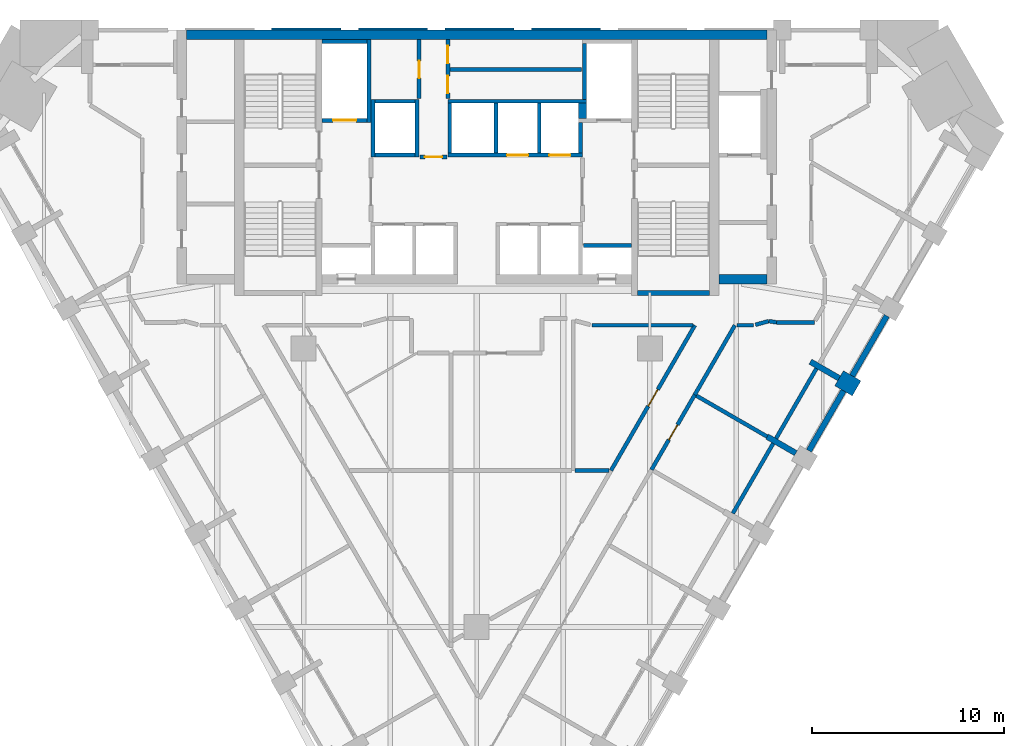
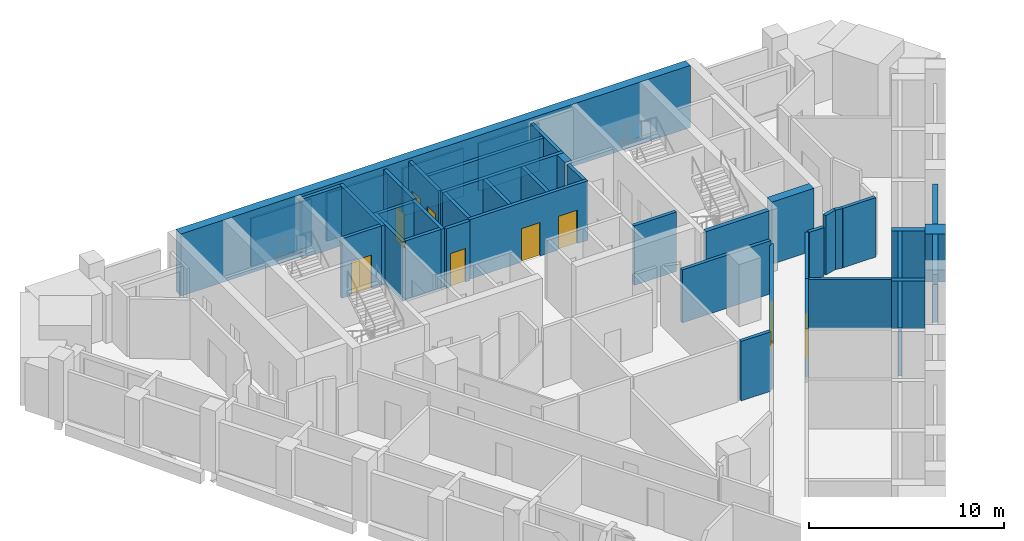
# One storey, part 6 of 9: 44 walls, 9 doors, 9 openings.
"""IFC4 building model written with IfcOpenShell, lengths in metres."""

import ifcopenshell
import ifcopenshell.guid

model = None  # the IFC model being written
_history = None  # IfcOwnerHistory: only IFC2X3 demands one
_inside = {}  # id of a spatial element -> (the spatial element, [elements in it])
_under = {}  # id of a project, library or spatial element -> (it, [spatial elements below it])
_declared = {}  # id of a project -> (the project, [libraries it declares])
_typed = {}  # id of a type object -> (the type object, [elements of that type])
_made_of = {}  # id of a material, layer set ... -> (it, [elements and type objects made of it])


def new_model(schema):
    """Start an empty IFC model of exactly this schema.

    Asked for "IFC4X3", IfcOpenShell would pick the latest addendum, in which some entities
    have other attributes; the version numbers below select the first issue.
    IFC2X3 requires an IfcOwnerHistory on every rooted entity: one is made here for all.
    """
    global model, _history
    if schema == "IFC4X3":
        model = ifcopenshell.file(schema_version=(4, 3, 0, 0))
    else:
        model = ifcopenshell.file(schema=schema)
    _inside.clear()
    _under.clear()
    _declared.clear()
    _typed.clear()
    _made_of.clear()
    _history = None
    if model.schema == "IFC2X3":
        org = make("IfcOrganization", Name="unknown")
        user = make(
            "IfcPersonAndOrganization",
            ThePerson=make("IfcPerson", FamilyName="unknown"),
            TheOrganization=org,
        )
        app = make(
            "IfcApplication",
            ApplicationDeveloper=org,
            Version="unknown",
            ApplicationFullName="unknown",
            ApplicationIdentifier="unknown",
        )
        _history = make(
            "IfcOwnerHistory",
            OwningUser=user,
            OwningApplication=app,
            ChangeAction="ADDED",
            CreationDate=0,
        )
    return model


def make(cls, **values):
    """One entity of the class cls with the attributes given. An attribute that is None is left unset."""
    return model.create_entity(
        cls, **{name: value for name, value in values.items() if value is not None}
    )


def rooted(cls, **values):
    """An entity with a GlobalId (a new one), such as an element, a storey or a relation."""
    return make(cls, GlobalId=ifcopenshell.guid.new(), OwnerHistory=_history, **values)


def si_unit(unit_type, name, prefix=None):
    """IfcSIUnit, for example si_unit("LENGTHUNIT", "METRE", prefix="MILLI")."""
    return make("IfcSIUnit", UnitType=unit_type, Prefix=prefix, Name=name)


def assignment(units):
    """IfcUnitAssignment: the units of a project."""
    return None if units is None else make("IfcUnitAssignment", Units=units)


def point(xyz):
    """IfcCartesianPoint."""
    return None if xyz is None else make("IfcCartesianPoint", Coordinates=xyz)


def direction(xyz):
    """IfcDirection."""
    return None if xyz is None else make("IfcDirection", DirectionRatios=xyz)


def frame(location, z_axis=None, x_axis=None):
    """IfcAxis2Placement3D, a coordinate frame: its origin and axes. An axis left out is left unset."""
    return make(
        "IfcAxis2Placement3D",
        Location=point(location),
        Axis=direction(z_axis),
        RefDirection=direction(x_axis),
    )


def frame_2d(location, x_axis=None):
    """IfcAxis2Placement2D, a coordinate frame in the plane: its origin and x axis."""
    return make(
        "IfcAxis2Placement2D", Location=point(location), RefDirection=direction(x_axis)
    )


def origin():
    """The frame at (0, 0, 0) with its axes left unset."""
    return frame((0.0, 0.0, 0.0))


def place(relative_to, where):
    """IfcLocalPlacement: puts the frame where relative to a parent placement (None: the world)."""
    return make(
        "IfcLocalPlacement", PlacementRelTo=relative_to, RelativePlacement=where
    )


def context(
    kind, dimensions, precision=None, world=None, true_north=None, identifier=None
):
    """IfcGeometricRepresentationContext, for example the 3D "Model" context."""
    return make(
        "IfcGeometricRepresentationContext",
        ContextIdentifier=identifier,
        ContextType=kind,
        CoordinateSpaceDimension=dimensions,
        Precision=precision,
        WorldCoordinateSystem=world,
        TrueNorth=true_north,
    )


def subcontext(parent, identifier, kind, view, scale=None):
    """IfcGeometricRepresentationSubContext, for example "Body" below "Model"."""
    return make(
        "IfcGeometricRepresentationSubContext",
        ContextIdentifier=identifier,
        ContextType=kind,
        ParentContext=parent,
        TargetScale=scale,
        TargetView=view,
    )


def project(units=None, contexts=None):
    """IfcProject with its units and contexts."""
    return rooted(
        "IfcProject",
        Name="project",
        RepresentationContexts=contexts,
        UnitsInContext=assignment(units),
    )


def spatial(cls, under=None, at=None, **own):
    """A site, building, storey or space (cls), placed at a placement, below another one or the project."""
    s = rooted(cls, ObjectPlacement=at, **own)
    if under is not None:
        _under.setdefault(under.id(), (under, []))[1].append(s)
    return s


def polyline(points):
    """IfcPolyline through the points."""
    return make("IfcPolyline", Points=[point(p) for p in points])


def profile(cls, at=None, kind="AREA", **sizes):
    """A parametric profile (cls). Its sizes go by their IFC names, for example OverallWidth=200.0."""
    return make(cls, ProfileType=kind, Position=at, **sizes)


def rectangle(**sizes):
    """IfcRectangleProfileDef."""
    return profile("IfcRectangleProfileDef", **sizes)


def outline(outer, holes=None, kind="AREA"):
    """IfcArbitraryClosedProfileDef: a profile drawn as a closed curve; with holes, ...WithVoids."""
    if holes is None:
        return make("IfcArbitraryClosedProfileDef", ProfileType=kind, OuterCurve=outer)
    return make(
        "IfcArbitraryProfileDefWithVoids",
        ProfileType=kind,
        OuterCurve=outer,
        InnerCurves=holes,
    )


def extrude(swept, where, along, depth):
    """IfcExtrudedAreaSolid: the profile swept, set in the frame where, extruded along a direction by depth."""
    return make(
        "IfcExtrudedAreaSolid",
        SweptArea=swept,
        Position=where,
        ExtrudedDirection=direction(along),
        Depth=depth,
    )


def shape(context_of_items, identifier, shape_type, items):
    """IfcShapeRepresentation: the items that make up one representation, for example the "Body"."""
    return make(
        "IfcShapeRepresentation",
        ContextOfItems=context_of_items,
        RepresentationIdentifier=identifier,
        RepresentationType=shape_type,
        Items=items,
    )


def material(Name=None, Category=None):
    """IfcMaterial."""
    return make("IfcMaterial", Name=Name, Category=Category)


def layer(
    of_material, thickness, ventilated=None, Name=None, Category=None, Priority=None
):
    """IfcMaterialLayer: one layer of a wall or slab, of a material (None: an air gap)."""
    return make(
        "IfcMaterialLayer",
        Material=of_material,
        LayerThickness=thickness,
        IsVentilated=ventilated,
        Name=Name,
        Category=Category,
        Priority=Priority,
    )


def layer_set(layers, Name=None):
    """IfcMaterialLayerSet."""
    return make("IfcMaterialLayerSet", MaterialLayers=layers, LayerSetName=Name)


def made_of(thing, what):
    """Note that an element or type object is made of a material, layer set ...; save() writes the relation."""
    if what is not None:
        _made_of.setdefault(what.id(), (what, []))[1].append(thing)
    return thing


def type_object(cls, material=None, **own):
    """A type object (cls), such as IfcWallType, which elements share."""
    return made_of(rooted(cls, **own), material)


def element(
    cls,
    number,
    at=None,
    inside=None,
    cuts=None,
    type_object=None,
    material=None,
    context=None,
    identifier="Body",
    shape_type=None,
    held_by="IfcProductDefinitionShape",
    body=None,
    shapes=None,
    **own,
):
    """One element of the class cls, such as IfcWall. Its Tag is "e" and its number.

    at: its placement. inside: the storey or other place that contains it. cuts: it is an
    opening in that element (IfcRelVoidsElement). A single representation is given by context,
    identifier, shape_type and body (its items); several are given by shapes. held_by: the class
    of the entity that holds the representations. save() writes the other relations.
    """
    e = rooted(cls, Tag="e%d" % number, ObjectPlacement=at, **own)
    if body is not None:
        shapes = [shape(context, identifier, shape_type, body)]
    if shapes is not None:
        e.Representation = make(held_by, Representations=shapes)
    if inside is not None:
        _inside.setdefault(inside.id(), (inside, []))[1].append(e)
    if cuts is not None:
        rooted(
            "IfcRelVoidsElement", RelatingBuildingElement=cuts, RelatedOpeningElement=e
        )
    if type_object is not None:
        _typed.setdefault(type_object.id(), (type_object, []))[1].append(e)
    return made_of(e, material)


def fill(opening, filler):
    """IfcRelFillsElement: the door or window that sits in an opening."""
    return rooted(
        "IfcRelFillsElement",
        RelatingOpeningElement=opening,
        RelatedBuildingElement=filler,
    )


def aggregate(whole, parts):
    """IfcRelAggregates: a whole, such as a stair, and the parts it consists of."""
    return rooted("IfcRelAggregates", RelatingObject=whole, RelatedObjects=parts)


def save(model, path):
    """Write the relations noted so far, then the file.

    IfcRelAggregates (storeys below a building ...), IfcRelContainedInSpatialStructure (elements
    in a storey), IfcRelDefinesByType, IfcRelAssociatesMaterial and IfcRelDeclares: one each for
    every whole, place, type object, material and project.
    """
    for whole, parts in _under.values():
        aggregate(whole, parts)
    for where, things in _inside.values():
        rooted(
            "IfcRelContainedInSpatialStructure",
            RelatedElements=things,
            RelatingStructure=where,
        )
    for kind, things in _typed.values():
        rooted("IfcRelDefinesByType", RelatedObjects=things, RelatingType=kind)
    for what, things in _made_of.values():
        rooted("IfcRelAssociatesMaterial", RelatedObjects=things, RelatingMaterial=what)
    for by, libraries in _declared.values():
        rooted("IfcRelDeclares", RelatingContext=by, RelatedDefinitions=libraries)
    model.write(path)


model = new_model("IFC4")

# Units and contexts
model_context = context("Model", 3, precision=1e-05, world=origin(), true_north=direction((0.0, 1.0)))
body_context = subcontext(model_context, "Body", "Model", "MODEL_VIEW")
ifc_project = project(units=[si_unit("LENGTHUNIT", "METRE"), si_unit("AREAUNIT", "SQUARE_METRE"), si_unit("VOLUMEUNIT", "CUBIC_METRE"), si_unit("PLANEANGLEUNIT", "RADIAN"), si_unit("MASSUNIT", "GRAM", prefix="KILO")], contexts=[model_context])

# Site, building, storey
site_placement = place(None, origin())
site = spatial("IfcSite", under=ifc_project, at=site_placement, CompositionType="ELEMENT")
building_placement = place(site_placement, origin())
building = spatial("IfcBuilding", under=site, at=building_placement, Name="Calabash Gate Tower", CompositionType="ELEMENT")
storey_placement = place(building_placement, frame((0.0, 0.0, 156.300048828125)))
storey = spatial("IfcBuildingStorey", under=building, at=storey_placement, Name="L36", CompositionType="ELEMENT", Elevation=156.300048828125)

# Walls
ifc_material_1 = material(Name="Terracotta brick masonry, exposed face", Category="masonry")
ifc_layer_1 = layer(ifc_material_1, 1.050048828125)
ifc_layer_set_1 = layer_set([ifc_layer_1], Name="Brick end wall 1050")
wall_type_1 = type_object("IfcWallType", Name="Brick end wall 1050", PredefinedType="SOLIDWALL", material=ifc_layer_set_1)
wall_1_placement = place(storey_placement, frame((19.7587890625, 0.417724609375, 0.0), z_axis=(0.0, 0.0, 1.0), x_axis=(-0.86592997719, 0.500165247297, 0.0)))
element("IfcWall", 1, at=wall_1_placement, inside=storey, type_object=wall_type_1, Name="Brick pier S10 SE4.5", PredefinedType="SOLIDWALL", context=body_context, shape_type="SweptSolid", body=[
    extrude(rectangle(XDim=1.050048828125, YDim=0.89990234375, at=frame_2d((0.52490234375, 0.0))), origin(), (0.0, 0.0, 1.0), 3.0),
])
ifc_material_2 = material(Name="Terracotta brick masonry, exposed face", Category="masonry")
ifc_layer_2 = layer(ifc_material_2, 0.300048828125)
ifc_layer_set_2 = layer_set([ifc_layer_2], Name="Brick infill panel wall 300")
wall_type_2 = type_object("IfcWallType", Name="Brick infill panel wall 300", PredefinedType="SOLIDWALL", material=ifc_layer_set_2)
wall_2_placement = place(storey_placement, frame((17.279296875, -2.8271484375, 0.0), z_axis=(0.0, 0.0, 1.0), x_axis=(0.500012057535, 0.866018442252, 0.0)))
element("IfcWall", 2, at=wall_2_placement, inside=storey, type_object=wall_type_2, Name="Brick panel S10 SE4.5", PredefinedType="SOLIDWALL", context=body_context, shape_type="SweptSolid", body=[
    extrude(rectangle(XDim=3.60009765625, YDim=0.300048828125, at=frame_2d((1.800048828125, 0.0))), origin(), (0.0, 0.0, 1.0), 3.0),
])
wall_3_placement = place(storey_placement, frame((19.529296875, 1.070068359375, 0.0), z_axis=(0.0, 0.0, 1.0), x_axis=(0.50001992892, 0.866013897511, 0.0)))
element("IfcWall", 3, at=wall_3_placement, inside=storey, type_object=wall_type_2, Name="Brick panel S10 SE4.6", PredefinedType="SOLIDWALL", context=body_context, shape_type="SweptSolid", body=[
    extrude(rectangle(XDim=3.599365234375, YDim=0.300048828125, at=frame_2d((1.7998046875, 0.0))), origin(), (0.0, 0.0, 1.0), 3.0),
])
ifc_material_3 = material(Name="Terracotta brick masonry, exposed face", Category="masonry")
ifc_layer_3 = layer(ifc_material_3, 0.300048828125)
ifc_layer_set_3 = layer_set([ifc_layer_3], Name="Brick loggia cheek wall 300")
wall_type_3 = type_object("IfcWallType", Name="Brick loggia cheek wall 300", PredefinedType="SOLIDWALL", material=ifc_layer_set_3)
for number, where, z_axis, x_axis, name in (
    (4, (16.599365234375, -2.954345703125, 0.0), (0.0, 0.0, 1.0), (-0.86597814115, 0.500081852351, 0.0), "Loggia cheek S10 SE4.4"),
    (5, (18.849609375, 0.94287109375, 0.0), (0.0, 0.0, 1.0), (-0.866074815912, 0.499914405916, 0.0), "Loggia cheek S10 SE4.5"),
):
    element("IfcWall", number, at=place(storey_placement, frame(where, z_axis=z_axis, x_axis=x_axis)), inside=storey, type_object=wall_type_3, Name=name, PredefinedType="SOLIDWALL", context=body_context, shape_type="SweptSolid", body=[
        extrude(rectangle(XDim=1.724853515625, YDim=0.300048828125, at=frame_2d((0.8623046875, 0.0))), origin(), (0.0, 0.0, 1.0), 3.0),
    ])
ifc_material_4 = material(Name="Concrete C70/85", Category="concrete")
ifc_layer_4 = layer(ifc_material_4, 0.25)
ifc_layer_set_4 = layer_set([ifc_layer_4], Name="Core wall 250 Concrete C70/85")
wall_type_4 = type_object("IfcWallType", Name="Core wall 250 Concrete C70/85", PredefinedType="SHEAR", material=ifc_layer_set_4)
wall_4_placement = place(storey_placement, frame((8.35009765625, 5.377685546875, 0.0), z_axis=(0.0, 0.0, 1.0), x_axis=(1.0, 0.0, 0.0)))
element("IfcWall", 6, at=wall_4_placement, inside=storey, type_object=wall_type_4, Name="Core wall Z3-SSE L36", PredefinedType="SHEAR", context=body_context, shape_type="SweptSolid", body=[
    extrude(rectangle(XDim=3.75, YDim=0.25, at=frame_2d((1.875, 0.0))), origin(), (0.0, 0.0, 1.0), 3.89990234375),
])
ifc_material_5 = material(Name="Concrete C70/85", Category="concrete")
ifc_layer_5 = layer(ifc_material_5, 0.5)
ifc_layer_set_5 = layer_set([ifc_layer_5], Name="Core wall 500 Concrete C70/85")
wall_type_5 = type_object("IfcWallType", Name="Core wall 500 Concrete C70/85", PredefinedType="SHEAR", material=ifc_layer_set_5)
wall_5_placement = place(storey_placement, frame((-15.10009765625, 18.802490234375, 0.0), z_axis=(0.0, 0.0, 1.0), x_axis=(1.0, 0.0, 0.0)))
element("IfcWall", 7, at=wall_5_placement, inside=storey, type_object=wall_type_5, Name="Core wall Z3-N L36", PredefinedType="SHEAR", context=body_context, shape_type="SweptSolid", body=[
    extrude(rectangle(XDim=30.2001953125, YDim=0.5, at=frame_2d((15.10009765625, 0.0))), origin(), (0.0, 0.0, 1.0), 3.89990234375),
])
wall_6_placement = place(storey_placement, frame((12.60009765625, 6.1025390625, 0.0), z_axis=(0.0, 0.0, 1.0), x_axis=(1.0, 0.0, 0.0)))
element("IfcWall", 8, at=wall_6_placement, inside=storey, type_object=wall_type_5, Name="Core wall Z3-SE L36", PredefinedType="SHEAR", context=body_context, shape_type="SweptSolid", body=[
    extrude(rectangle(XDim=2.5, YDim=0.5, at=frame_2d((1.25, 0.0))), origin(), (0.0, 0.0, 1.0), 3.89990234375),
])
ifc_material_6 = material(Name="Gypsum board on steel studs, mineral wool", Category="steel")
ifc_layer_6 = layer(ifc_material_6, 0.199951171875)
ifc_layer_set_6 = layer_set([ifc_layer_6], Name="Partition 200 gypsum board EI 60")
wall_type_6 = type_object("IfcWallType", Name="Partition 200 gypsum board EI 60", PredefinedType="PARTITIONING", material=ifc_layer_set_6)
wall_7_placement = place(storey_placement, frame((5.120849609375, -3.855712890625, 0.0), z_axis=(0.0, 0.0, 1.0), x_axis=(0.999999529486, -0.000970066062, 0.0)))
element("IfcWall", 9, at=wall_7_placement, inside=storey, type_object=wall_type_6, Name="Partition", PredefinedType="PARTITIONING", context=body_context, shape_type="SweptSolid", body=[
    extrude(rectangle(XDim=1.76171875, YDim=0.199951171875, at=frame_2d((0.880859375, 0.0))), origin(), (0.0, 0.0, 1.0), 3.72998046875),
])

# Wall, opening, door
wall_8_placement = place(storey_placement, frame((6.983642578125, -3.85546875, 0.0), z_axis=(0.0, 0.0, 1.0), x_axis=(0.500195547237, 0.865912475095, 0.0)))
wall_8 = element("IfcWall", 10, at=wall_8_placement, inside=storey, type_object=wall_type_6, Name="Partition", PredefinedType="PARTITIONING", context=body_context, shape_type="SweptSolid", body=[
    extrude(rectangle(XDim=8.72509765625, YDim=0.199951171875, at=frame_2d((4.362548828125, 0.0))), origin(), (0.0, 0.0, 1.0), 3.0517578125),
])
opening_1_placement = place(wall_8_placement, frame((3.861328125, 0.0, 0.0)))
opening_1 = element("IfcOpeningElement", 11, at=opening_1_placement, cuts=wall_8, Name="Opening 36-38-007", PredefinedType="OPENING", context=body_context, shape_type="SweptSolid", body=[
    extrude(rectangle(XDim=1.0, YDim=2.10009765625, at=frame_2d((0.5, 1.050048828125))), frame((0.0, 0.10986328125, 0.0), z_axis=(0.0, -1.0, 0.0), x_axis=(1.0, 0.0, 0.0)), (0.0, 0.0, 1.0), 0.219970703125),
])
ifc_material_7 = material(Name="Steel fire door set with fire-resisting glazing", Category="steel")
door_type_1 = type_object("IfcDoorType", Name="LD2 Meeting room door 1000x2100", OperationType="NOTDEFINED", PredefinedType="DOOR", material=ifc_material_7)
door_1_placement = place(opening_1_placement, origin())
door_1 = element("IfcDoor", 12, at=door_1_placement, inside=storey, type_object=door_type_1, Name="Meeting room door", OperationType="SINGLE_SWING_LEFT", OverallHeight=2.10009765625, OverallWidth=1.0, PredefinedType="DOOR", context=body_context, shape_type="SweptSolid", body=[
    extrude(rectangle(XDim=1.0, YDim=2.10009765625, at=frame_2d((0.5, 1.050048828125))), frame((0.0, 0.02490234375, 0.0), z_axis=(0.0, -1.0, 0.0), x_axis=(1.0, 0.0, 0.0)), (0.0, 0.0, 1.0), 0.050048828125),
])
fill(opening_1, door_1)

# Wall
wall_9_placement = place(storey_placement, frame((11.426513671875, 0.03466796875, 0.0), z_axis=(0.0, 0.0, 1.0), x_axis=(0.865857330643, -0.500290998291, 0.0)))
element("IfcWall", 13, at=wall_9_placement, inside=storey, type_object=wall_type_6, Name="Partition", PredefinedType="PARTITIONING", context=body_context, shape_type="SweptSolid", body=[
    extrude(rectangle(XDim=4.24951171875, YDim=0.199951171875, at=frame_2d((2.124755859375, 0.0))), origin(), (0.0, 0.0, 1.0), 3.0517578125),
])

# Wall, opening, door
wall_10_placement = place(storey_placement, frame((9.09033203125, -3.814697265625, 0.0), z_axis=(0.0, 0.0, 1.0), x_axis=(0.499972939495, 0.866041026611, 0.0)))
wall_10 = element("IfcWall", 14, at=wall_10_placement, inside=storey, type_object=wall_type_6, Name="Partition", PredefinedType="PARTITIONING", context=body_context, shape_type="SweptSolid", body=[
    extrude(rectangle(XDim=4.499755859375, YDim=0.199951171875, at=frame_2d((2.25, 0.0))), origin(), (0.0, 0.0, 1.0), 3.0517578125),
])
opening_2_placement = place(wall_10_placement, frame((1.7998046875, 0.0, 0.0)))
opening_2 = element("IfcOpeningElement", 15, at=opening_2_placement, cuts=wall_10, Name="Opening 36-38-005", PredefinedType="OPENING", context=body_context, shape_type="SweptSolid", body=[
    extrude(rectangle(XDim=0.89990234375, YDim=2.10009765625, at=frame_2d((0.449951171875, 1.050048828125))), frame((0.0, 0.10986328125, 0.0), z_axis=(0.0, -1.0, 0.0), x_axis=(1.0, 0.0, 0.0)), (0.0, 0.0, 1.0), 0.219970703125),
])
ifc_material_8 = material(Name="Painted timber door", Category="wood")
door_type_2 = type_object("IfcDoorType", Name="OD1 Office door 900x2100", OperationType="NOTDEFINED", PredefinedType="DOOR", material=ifc_material_8)
door_2_placement = place(opening_2_placement, origin())
door_2 = element("IfcDoor", 16, at=door_2_placement, inside=storey, type_object=door_type_2, Name="Office door", OperationType="SINGLE_SWING_RIGHT", OverallHeight=2.10009765625, OverallWidth=0.89990234375, PredefinedType="DOOR", context=body_context, shape_type="SweptSolid", body=[
    extrude(rectangle(XDim=0.89990234375, YDim=2.10009765625, at=frame_2d((0.449951171875, 1.050048828125))), frame((0.0, 0.02490234375, 0.0), z_axis=(0.0, -1.0, 0.0), x_axis=(1.0, 0.0, 0.0)), (0.0, 0.0, 1.0), 0.050048828125),
])
fill(opening_2, door_2)

# Walls
wall_11_placement = place(storey_placement, frame((6.0, 3.69970703125, 0.0), z_axis=(0.0, 0.0, 1.0), x_axis=(1.0, 0.0, 0.0)))
element("IfcWall", 17, at=wall_11_placement, inside=storey, type_object=wall_type_6, Name="Partition", PredefinedType="PARTITIONING", context=body_context, shape_type="SweptSolid", body=[
    extrude(rectangle(XDim=5.247802734375, YDim=0.199951171875, at=frame_2d((2.6240234375, 0.0))), origin(), (0.0, 0.0, 1.0), 3.33154296875),
])
wall_12_placement = place(storey_placement, frame((11.340576171875, 0.08251953125, 0.0), z_axis=(0.0, 0.0, 1.0), x_axis=(0.499673523279, 0.866213813174, 0.0)))
element("IfcWall", 18, at=wall_12_placement, inside=storey, type_object=wall_type_6, Name="Partition", PredefinedType="PARTITIONING", context=body_context, shape_type="SweptSolid", body=[
    extrude(rectangle(XDim=4.175537109375, YDim=0.199951171875, at=frame_2d((2.087890625, 0.0))), origin(), (0.0, 0.0, 1.0), 3.0517578125),
])
wall_13_placement = place(storey_placement, frame((13.52685546875, 3.699462890625, 0.0), z_axis=(0.0, 0.0, 1.0), x_axis=(1.0, 0.0, 0.0)))
element("IfcWall", 19, at=wall_13_placement, inside=storey, type_object=wall_type_6, Name="Partition", PredefinedType="PARTITIONING", context=body_context, shape_type="SweptSolid", body=[
    extrude(rectangle(XDim=0.873046875, YDim=0.199951171875, at=frame_2d((0.4365234375, 0.0))), origin(), (0.0, 0.0, 1.0), 3.0517578125),
])
wall_14_placement = place(storey_placement, frame((15.193359375, 3.91455078125, 0.0), z_axis=(0.0, 0.0, 1.0), x_axis=(0.988399116328, -0.15187885581, 0.0)))
element("IfcWall", 20, at=wall_14_placement, inside=storey, type_object=wall_type_6, Name="Partition", PredefinedType="PARTITIONING", context=body_context, shape_type="SweptSolid", body=[
    extrude(rectangle(XDim=0.41162109375, YDim=0.199951171875, at=frame_2d((0.205810546875, 0.0))), origin(), (0.0, 0.0, 1.0), 3.72998046875),
])
wall_15_placement = place(storey_placement, frame((15.60009765625, 3.85205078125, 0.0), z_axis=(0.0, 0.0, 1.0), x_axis=(1.0, 0.0, 0.0)))
element("IfcWall", 21, at=wall_15_placement, inside=storey, type_object=wall_type_6, Name="Partition", PredefinedType="PARTITIONING", context=body_context, shape_type="SweptSolid", body=[
    extrude(rectangle(XDim=1.956298828125, YDim=0.199951171875, at=frame_2d((0.97802734375, 0.0))), origin(), (0.0, 0.0, 1.0), 3.72998046875),
])
wall_16_placement = place(storey_placement, frame((14.49658203125, 3.7255859375, 0.0), z_axis=(0.0, 0.0, 1.0), x_axis=(0.965137431954, 0.26174364833, 0.0)))
element("IfcWall", 22, at=wall_16_placement, inside=storey, type_object=wall_type_6, Name="Partition", PredefinedType="PARTITIONING", context=body_context, shape_type="SweptSolid", body=[
    extrude(rectangle(XDim=0.721923828125, YDim=0.199951171875, at=frame_2d((0.36083984375, 0.0))), origin(), (0.0, 0.0, 1.0), 3.72998046875),
])
ifc_material_9 = material(Name="Concrete C40/50", Category="concrete")
ifc_layer_7 = layer(ifc_material_9, 0.199951171875)
ifc_layer_set_7 = layer_set([ifc_layer_7], Name="Shaft wall 200 Concrete C40/50")
wall_type_7 = type_object("IfcWallType", Name="Shaft wall 200 Concrete C40/50", PredefinedType="SOLIDWALL", material=ifc_layer_set_7)
wall_17_placement = place(storey_placement, frame((5.550048828125, 7.8525390625, 0.0), z_axis=(0.0, 0.0, 1.0), x_axis=(1.0, 0.0, 0.0)))
element("IfcWall", 23, at=wall_17_placement, inside=storey, type_object=wall_type_7, Name="Shaft wall", PredefinedType="SOLIDWALL", context=body_context, shape_type="SweptSolid", body=[
    extrude(rectangle(XDim=2.5, YDim=0.199951171875, at=frame_2d((1.25, 0.0))), origin(), (0.0, 0.0, 1.0), 3.72998046875),
])

# Wall, opening, door
wall_18_placement = place(storey_placement, frame((-2.949951171875, 12.45263671875, 0.0), z_axis=(0.0, 0.0, 1.0), x_axis=(1.0, 0.0, 0.0)))
wall_18 = element("IfcWall", 24, at=wall_18_placement, inside=storey, type_object=wall_type_7, Name="Shaft wall", PredefinedType="SOLIDWALL", context=body_context, shape_type="SweptSolid", body=[
    extrude(rectangle(XDim=1.39990234375, YDim=0.199951171875, at=frame_2d((0.699951171875, 0.0))), origin(), (0.0, 0.0, 1.0), 3.72998046875),
])
opening_3_placement = place(wall_18_placement, frame((0.25, 0.0, 0.0)))
opening_3 = element("IfcOpeningElement", 25, at=opening_3_placement, cuts=wall_18, Name="Opening O2-007", PredefinedType="OPENING", context=body_context, shape_type="SweptSolid", body=[
    extrude(rectangle(XDim=0.89990234375, YDim=2.10009765625, at=frame_2d((0.449951171875, 1.050048828125))), frame((0.0, 0.10986328125, 0.0), z_axis=(0.0, -1.0, 0.0), x_axis=(1.0, 0.0, 0.0)), (0.0, 0.0, 1.0), 0.219970703125),
])
ifc_material_10 = material(Name="Steel fire door set with fire-resisting glazing", Category="steel")
door_type_3 = type_object("IfcDoorType", Name="Fire door D06 900x2100 FD60", OperationType="NOTDEFINED", PredefinedType="DOOR", material=ifc_material_10)
door_3_placement = place(opening_3_placement, origin())
door_3 = element("IfcDoor", 26, at=door_3_placement, inside=storey, type_object=door_type_3, Name="Service Corridor door", OperationType="SINGLE_SWING_RIGHT", OverallHeight=2.10009765625, OverallWidth=0.89990234375, PredefinedType="DOOR", context=body_context, shape_type="SweptSolid", body=[
    extrude(rectangle(XDim=0.89990234375, YDim=2.10009765625, at=frame_2d((0.449951171875, 1.050048828125))), frame((0.0, 0.02490234375, 0.0), z_axis=(0.0, -1.0, 0.0), x_axis=(1.0, 0.0, 0.0)), (0.0, 0.0, 1.0), 0.050048828125),
])
fill(opening_3, door_3)

# Walls
wall_19_placement = place(storey_placement, frame((-5.39990234375, 12.45263671875, 0.0), z_axis=(0.0, 0.0, 1.0), x_axis=(0.0, 1.0, 0.0)))
element("IfcWall", 27, at=wall_19_placement, inside=storey, type_object=wall_type_7, Name="Shaft wall", PredefinedType="SOLIDWALL", context=body_context, shape_type="SweptSolid", body=[
    extrude(rectangle(XDim=3.0, YDim=0.199951171875, at=frame_2d((1.5, 0.0))), origin(), (0.0, 0.0, 1.0), 3.72998046875),
])
wall_20_placement = place(storey_placement, frame((-5.300048828125, 12.552490234375, 0.0), z_axis=(0.0, 0.0, 1.0), x_axis=(1.0, 0.0, 0.0)))
element("IfcWall", 28, at=wall_20_placement, inside=storey, type_object=wall_type_7, Name="Shaft wall", PredefinedType="SOLIDWALL", context=body_context, shape_type="SweptSolid", body=[
    extrude(rectangle(XDim=2.10009765625, YDim=0.199951171875, at=frame_2d((1.050048828125, 0.0))), origin(), (0.0, 0.0, 1.0), 3.72998046875),
])
wall_21_placement = place(storey_placement, frame((-3.10009765625, 12.45263671875, 0.0), z_axis=(0.0, 0.0, 1.0), x_axis=(0.0, 1.0, 0.0)))
element("IfcWall", 29, at=wall_21_placement, inside=storey, type_object=wall_type_7, Name="Shaft wall", PredefinedType="SOLIDWALL", context=body_context, shape_type="SweptSolid", body=[
    extrude(rectangle(XDim=3.0, YDim=0.199951171875, at=frame_2d((1.5, 0.0))), origin(), (0.0, 0.0, 1.0), 3.72998046875),
])

# Wall, openings, doors
wall_22_placement = place(storey_placement, frame((-1.5, 12.552490234375, 0.0), z_axis=(0.0, 0.0, 1.0), x_axis=(1.0, 0.0, 0.0)))
wall_22 = element("IfcWall", 30, at=wall_22_placement, inside=storey, type_object=wall_type_7, Name="Shaft wall", PredefinedType="SOLIDWALL", context=body_context, shape_type="SweptSolid", body=[
    extrude(rectangle(XDim=7.0, YDim=0.199951171875, at=frame_2d((3.5, 0.0))), origin(), (0.0, 0.0, 1.0), 3.72998046875),
])
opening_4_placement = place(wall_22_placement, frame((3.074951171875, 0.0, 0.0)))
opening_4 = element("IfcOpeningElement", 31, at=opening_4_placement, cuts=wall_22, Name="Opening LD-HR5", PredefinedType="OPENING", context=body_context, shape_type="SweptSolid", body=[
    extrude(rectangle(XDim=1.10009765625, YDim=2.10009765625, at=frame_2d((0.550048828125, 1.050048828125))), frame((0.0, 0.10986328125, 0.0), z_axis=(0.0, -1.0, 0.0), x_axis=(1.0, 0.0, 0.0)), (0.0, 0.0, 1.0), 0.219970703125),
])
opening_5_placement = place(wall_22_placement, frame((5.27490234375, 0.0, 0.0)))
opening_5 = element("IfcOpeningElement", 32, at=opening_5_placement, cuts=wall_22, Name="Opening LD-HR6", PredefinedType="OPENING", context=body_context, shape_type="SweptSolid", body=[
    extrude(rectangle(XDim=1.10009765625, YDim=2.10009765625, at=frame_2d((0.550048828125, 1.050048828125))), frame((0.0, 0.10986328125, 0.0), z_axis=(0.0, -1.0, 0.0), x_axis=(1.0, 0.0, 0.0)), (0.0, 0.0, 1.0), 0.219970703125),
])
ifc_material_11 = material(Name="Stainless steel sliding door leaves", Category="steel")
door_type_4 = type_object("IfcDoorType", Name="Lift landing door LS1 1100x2100 FD90", OperationType="DOUBLE_DOOR_SLIDING", PredefinedType="DOOR", material=ifc_material_11)
door_4_placement = place(opening_4_placement, origin())
door_4 = element("IfcDoor", 33, at=door_4_placement, inside=storey, type_object=door_type_4, Name="Lift landing door HR5", OperationType="DOUBLE_DOOR_SLIDING", OverallHeight=2.10009765625, OverallWidth=1.10009765625, PredefinedType="DOOR", context=body_context, shape_type="SweptSolid", body=[
    extrude(rectangle(XDim=1.10009765625, YDim=2.10009765625, at=frame_2d((0.550048828125, 1.050048828125))), frame((0.0, 0.02490234375, 0.0), z_axis=(0.0, -1.0, 0.0), x_axis=(1.0, 0.0, 0.0)), (0.0, 0.0, 1.0), 0.050048828125),
])
fill(opening_4, door_4)
door_5_placement = place(opening_5_placement, origin())
door_5 = element("IfcDoor", 34, at=door_5_placement, inside=storey, type_object=door_type_4, Name="Lift landing door HR6", OperationType="DOUBLE_DOOR_SLIDING", OverallHeight=2.10009765625, OverallWidth=1.10009765625, PredefinedType="DOOR", context=body_context, shape_type="SweptSolid", body=[
    extrude(rectangle(XDim=1.10009765625, YDim=2.10009765625, at=frame_2d((0.550048828125, 1.050048828125))), frame((0.0, 0.02490234375, 0.0), z_axis=(0.0, -1.0, 0.0), x_axis=(1.0, 0.0, 0.0)), (0.0, 0.0, 1.0), 0.050048828125),
])
fill(opening_5, door_5)

# Walls
for number, where, z_axis, x_axis, name in (
    (35, (-1.39990234375, 12.652587890625, 0.0), (0.0, 0.0, 1.0), (0.0, 1.0, 0.0), "Shaft wall"),
    (36, (1.0, 12.652587890625, 0.0), (0.0, 0.0, 1.0), (0.0, 1.0, 0.0), "Shaft wall"),
    (37, (3.25, 12.652587890625, 0.0), (0.0, 0.0, 1.0), (0.0, 1.0, 0.0), "Shaft wall"),
):
    element("IfcWall", number, at=place(storey_placement, frame(where, z_axis=z_axis, x_axis=x_axis)), inside=storey, type_object=wall_type_7, Name=name, PredefinedType="SOLIDWALL", context=body_context, shape_type="SweptSolid", body=[
        extrude(rectangle(XDim=2.60009765625, YDim=0.199951171875, at=frame_2d((1.300048828125, 0.0))), origin(), (0.0, 0.0, 1.0), 3.72998046875),
    ])
wall_23_placement = place(storey_placement, frame((5.39990234375, 12.652587890625, 0.0), z_axis=(0.0, 0.0, 1.0), x_axis=(0.0, 1.0, 0.0)))
element("IfcWall", 38, at=wall_23_placement, inside=storey, type_object=wall_type_7, Name="Shaft wall", PredefinedType="SOLIDWALL", context=body_context, shape_type="SweptSolid", body=[
    extrude(rectangle(XDim=1.60009765625, YDim=0.199951171875, at=frame_2d((0.800048828125, 0.0))), origin(), (0.0, 0.0, 1.0), 3.72998046875),
])

# Wall, opening, door
wall_24_placement = place(storey_placement, frame((-8.050048828125, 14.3525390625, 0.0), z_axis=(0.0, 0.0, 1.0), x_axis=(1.0, 0.0, 0.0)))
wall_24 = element("IfcWall", 39, at=wall_24_placement, inside=storey, type_object=wall_type_7, Name="Shaft wall", PredefinedType="SOLIDWALL", context=body_context, shape_type="SweptSolid", body=[
    extrude(rectangle(XDim=2.35009765625, YDim=0.199951171875, at=frame_2d((1.175048828125, 0.0))), origin(), (0.0, 0.0, 1.0), 3.72998046875),
])
opening_6_placement = place(wall_24_placement, frame((0.574951171875, 0.0, 0.0)))
opening_6 = element("IfcOpeningElement", 40, at=opening_6_placement, cuts=wall_24, Name="Opening LD-FF1", PredefinedType="OPENING", context=body_context, shape_type="SweptSolid", body=[
    extrude(rectangle(XDim=1.199951171875, YDim=2.10009765625, at=frame_2d((0.60009765625, 1.050048828125))), frame((0.0, 0.10986328125, 0.0), z_axis=(0.0, -1.0, 0.0), x_axis=(1.0, 0.0, 0.0)), (0.0, 0.0, 1.0), 0.219970703125),
])
ifc_material_12 = material(Name="Stainless steel sliding door leaves", Category="steel")
door_type_5 = type_object("IfcDoorType", Name="Lift landing door LS3 1200x2100 FD90", OperationType="DOUBLE_DOOR_SLIDING", PredefinedType="DOOR", material=ifc_material_12)
door_6_placement = place(opening_6_placement, origin())
door_6 = element("IfcDoor", 41, at=door_6_placement, inside=storey, type_object=door_type_5, Name="Lift landing door FF1", OperationType="DOUBLE_DOOR_SLIDING", OverallHeight=2.10009765625, OverallWidth=1.199951171875, PredefinedType="DOOR", context=body_context, shape_type="SweptSolid", body=[
    extrude(rectangle(XDim=1.199951171875, YDim=2.10009765625, at=frame_2d((0.60009765625, 1.050048828125))), frame((0.0, 0.02490234375, 0.0), z_axis=(0.0, -1.0, 0.0), x_axis=(1.0, 0.0, 0.0)), (0.0, 0.0, 1.0), 0.050048828125),
])
fill(opening_6, door_6)

# Walls
wall_25_placement = place(storey_placement, frame((-5.60009765625, 14.252685546875, 0.0), z_axis=(0.0, 0.0, 1.0), x_axis=(0.0, 1.0, 0.0)))
element("IfcWall", 42, at=wall_25_placement, inside=storey, type_object=wall_type_7, Name="Shaft wall", PredefinedType="SOLIDWALL", context=body_context, shape_type="SweptSolid", body=[
    extrude(rectangle(XDim=4.2998046875, YDim=0.199951171875, at=frame_2d((2.14990234375, 0.0))), origin(), (0.0, 0.0, 1.0), 3.72998046875),
])
wall_26_placement = place(storey_placement, frame((5.5, 14.45263671875, 0.0), z_axis=(0.0, 0.0, 1.0), x_axis=(0.0, 1.0, 0.0)))
element("IfcWall", 43, at=wall_26_placement, inside=storey, type_object=wall_type_7, Name="Shaft wall", PredefinedType="SOLIDWALL", context=body_context, shape_type="SweptSolid", body=[
    extrude(rectangle(XDim=0.800048828125, YDim=0.39990234375, at=frame_2d((0.39990234375, 0.0))), origin(), (0.0, 0.0, 1.0), 3.72998046875),
])
wall_27_placement = place(storey_placement, frame((-5.300048828125, 15.3525390625, 0.0), z_axis=(0.0, 0.0, 1.0), x_axis=(1.0, 0.0, 0.0)))
element("IfcWall", 44, at=wall_27_placement, inside=storey, type_object=wall_type_7, Name="Shaft wall", PredefinedType="SOLIDWALL", context=body_context, shape_type="SweptSolid", body=[
    extrude(rectangle(XDim=2.10009765625, YDim=0.199951171875, at=frame_2d((1.050048828125, 0.0))), origin(), (0.0, 0.0, 1.0), 3.72998046875),
])
wall_28_placement = place(storey_placement, frame((-1.5, 15.3525390625, 0.0), z_axis=(0.0, 0.0, 1.0), x_axis=(1.0, 0.0, 0.0)))
element("IfcWall", 45, at=wall_28_placement, inside=storey, type_object=wall_type_7, Name="Shaft wall", PredefinedType="SOLIDWALL", context=body_context, shape_type="SweptSolid", body=[
    extrude(rectangle(XDim=7.199951171875, YDim=0.199951171875, at=frame_2d((3.60009765625, 0.0))), origin(), (0.0, 0.0, 1.0), 3.72998046875),
])
wall_29_placement = place(storey_placement, frame((5.60009765625, 15.45263671875, 0.0), z_axis=(0.0, 0.0, 1.0), x_axis=(0.0, 1.0, 0.0)))
element("IfcWall", 46, at=wall_29_placement, inside=storey, type_object=wall_type_7, Name="Shaft wall", PredefinedType="SOLIDWALL", context=body_context, shape_type="SweptSolid", body=[
    extrude(rectangle(XDim=2.89990234375, YDim=0.199951171875, at=frame_2d((1.449951171875, 0.0))), origin(), (0.0, 0.0, 1.0), 3.72998046875),
])

# Wall, opening, door
wall_30_placement = place(storey_placement, frame((-3.0, 15.502685546875, 0.0), z_axis=(0.0, 0.0, 1.0), x_axis=(0.0, 1.0, 0.0)))
wall_30 = element("IfcWall", 47, at=wall_30_placement, inside=storey, type_object=wall_type_7, Name="Shaft wall", PredefinedType="SOLIDWALL", context=body_context, shape_type="SweptSolid", body=[
    extrude(rectangle(XDim=3.0498046875, YDim=0.199951171875, at=frame_2d((1.52490234375, 0.0))), origin(), (0.0, 0.0, 1.0), 3.72998046875),
])
opening_7_placement = place(wall_30_placement, frame((1.050048828125, 0.0, 0.0)))
opening_7 = element("IfcOpeningElement", 48, at=opening_7_placement, cuts=wall_30, Name="Opening O2-010", PredefinedType="OPENING", context=body_context, shape_type="SweptSolid", body=[
    extrude(rectangle(XDim=0.89990234375, YDim=2.10009765625, at=frame_2d((0.449951171875, 1.050048828125))), frame((0.0, 0.10986328125, 0.0), z_axis=(0.0, -1.0, 0.0), x_axis=(1.0, 0.0, 0.0)), (0.0, 0.0, 1.0), 0.219970703125),
])
door_7_placement = place(opening_7_placement, origin())
door_7 = element("IfcDoor", 49, at=door_7_placement, inside=storey, type_object=door_type_3, Name="Accessible WC door", OperationType="SINGLE_SWING_LEFT", OverallHeight=2.10009765625, OverallWidth=0.89990234375, PredefinedType="DOOR", context=body_context, shape_type="SweptSolid", body=[
    extrude(rectangle(XDim=0.89990234375, YDim=2.10009765625, at=frame_2d((0.449951171875, 1.050048828125))), frame((0.0, 0.02490234375, 0.0), z_axis=(0.0, -1.0, 0.0), x_axis=(1.0, 0.0, 0.0)), (0.0, 0.0, 1.0), 0.050048828125),
])
fill(opening_7, door_7)

# Wall, openings, doors
wall_31_placement = place(storey_placement, frame((-1.5, 15.502685546875, 0.0), z_axis=(0.0, 0.0, 1.0), x_axis=(0.0, 1.0, 0.0)))
wall_31 = element("IfcWall", 50, at=wall_31_placement, inside=storey, type_object=wall_type_7, Name="Shaft wall", PredefinedType="SOLIDWALL", context=body_context, shape_type="SweptSolid", body=[
    extrude(rectangle(XDim=3.0498046875, YDim=0.199951171875, at=frame_2d((1.52490234375, 0.0))), origin(), (0.0, 0.0, 1.0), 3.72998046875),
])
opening_8_placement = place(wall_31_placement, frame((0.27490234375, 0.0, 0.0)))
opening_8 = element("IfcOpeningElement", 51, at=opening_8_placement, cuts=wall_31, Name="Opening O2-011", PredefinedType="OPENING", context=body_context, shape_type="SweptSolid", body=[
    extrude(rectangle(XDim=0.89990234375, YDim=2.10009765625, at=frame_2d((0.449951171875, 1.050048828125))), frame((0.0, 0.10986328125, 0.0), z_axis=(0.0, -1.0, 0.0), x_axis=(1.0, 0.0, 0.0)), (0.0, 0.0, 1.0), 0.219970703125),
])
opening_9_placement = place(wall_31_placement, frame((1.824951171875, 0.0, 0.0)))
opening_9 = element("IfcOpeningElement", 52, at=opening_9_placement, cuts=wall_31, Name="Opening O2-012", PredefinedType="OPENING", context=body_context, shape_type="SweptSolid", body=[
    extrude(rectangle(XDim=0.89990234375, YDim=2.10009765625, at=frame_2d((0.449951171875, 1.050048828125))), frame((0.0, 0.10986328125, 0.0), z_axis=(0.0, -1.0, 0.0), x_axis=(1.0, 0.0, 0.0)), (0.0, 0.0, 1.0), 0.219970703125),
])
door_8_placement = place(opening_8_placement, origin())
door_8 = element("IfcDoor", 53, at=door_8_placement, inside=storey, type_object=door_type_3, Name="Tenant Pantry door", OperationType="SINGLE_SWING_LEFT", OverallHeight=2.10009765625, OverallWidth=0.89990234375, PredefinedType="DOOR", context=body_context, shape_type="SweptSolid", body=[
    extrude(rectangle(XDim=0.89990234375, YDim=2.10009765625, at=frame_2d((0.449951171875, 1.050048828125))), frame((0.0, 0.02490234375, 0.0), z_axis=(0.0, -1.0, 0.0), x_axis=(1.0, 0.0, 0.0)), (0.0, 0.0, 1.0), 0.050048828125),
])
fill(opening_8, door_8)
door_9_placement = place(opening_9_placement, origin())
door_9 = element("IfcDoor", 54, at=door_9_placement, inside=storey, type_object=door_type_3, Name="Print Room door", OperationType="SINGLE_SWING_LEFT", OverallHeight=2.10009765625, OverallWidth=0.89990234375, PredefinedType="DOOR", context=body_context, shape_type="SweptSolid", body=[
    extrude(rectangle(XDim=0.89990234375, YDim=2.10009765625, at=frame_2d((0.449951171875, 1.050048828125))), frame((0.0, 0.02490234375, 0.0), z_axis=(0.0, -1.0, 0.0), x_axis=(1.0, 0.0, 0.0)), (0.0, 0.0, 1.0), 0.050048828125),
])
fill(opening_9, door_9)

# Walls
wall_32_placement = place(storey_placement, frame((-1.39990234375, 17.002685546875, 0.0), z_axis=(0.0, 0.0, 1.0), x_axis=(1.0, 0.0, 0.0)))
element("IfcWall", 55, at=wall_32_placement, inside=storey, type_object=wall_type_7, Name="Shaft wall", PredefinedType="SOLIDWALL", context=body_context, shape_type="SweptSolid", body=[
    extrude(rectangle(XDim=6.849853515625, YDim=0.199951171875, at=frame_2d((3.4248046875, 0.0))), origin(), (0.0, 0.0, 1.0), 3.72998046875),
])
wall_33_placement = place(storey_placement, frame((-8.050048828125, 18.45263671875, 0.0), z_axis=(0.0, 0.0, 1.0), x_axis=(1.0, 0.0, 0.0)))
element("IfcWall", 56, at=wall_33_placement, inside=storey, type_object=wall_type_7, Name="Shaft wall", PredefinedType="SOLIDWALL", context=body_context, shape_type="SweptSolid", body=[
    extrude(rectangle(XDim=2.35009765625, YDim=0.199951171875, at=frame_2d((1.175048828125, 0.0))), origin(), (0.0, 0.0, 1.0), 3.72998046875),
])
ifc_material_13 = material(Name="Terracotta brick masonry, perforated", Category="masonry")
ifc_layer_8 = layer(ifc_material_13, 0.1201171875)
ifc_layer_set_8 = layer_set([ifc_layer_8], Name="Terracotta jaali cladding B 120")
wall_type_8 = type_object("IfcWallType", Name="Terracotta jaali cladding B 120", PredefinedType="SOLIDWALL", material=ifc_layer_set_8)
wall_34_placement = place(storey_placement, origin())
element("IfcWall", 57, at=wall_34_placement, inside=storey, type_object=wall_type_8, Name="Jaali cladding S10 N6.5", PredefinedType="SOLIDWALL", context=body_context, shape_type="SweptSolid", body=[
    extrude(outline(polyline([(-1.66259765625, 19.172607421875), (-1.66259765625, 19.052490234375), (1.9375, 19.052490234375), (1.9375, 19.172607421875), (-1.66259765625, 19.172607421875)])), origin(), (0.0, 0.0, 1.0), 3.0),
])
wall_35_placement = place(storey_placement, origin())
element("IfcWall", 58, at=wall_35_placement, inside=storey, type_object=wall_type_8, Name="Jaali cladding S10 N6.7", PredefinedType="SOLIDWALL", context=body_context, shape_type="SweptSolid", body=[
    extrude(outline(polyline([(-10.66259765625, 19.172607421875), (-10.66259765625, 19.052490234375), (-7.0625, 19.052490234375), (-7.0625, 19.172607421875), (-10.66259765625, 19.172607421875)])), origin(), (0.0, 0.0, 1.0), 3.0),
])
ifc_material_14 = material(Name="Terracotta louvre blades in an aluminium frame", Category="masonry")
ifc_layer_9 = layer(ifc_material_14, 0.1201171875)
ifc_layer_set_9 = layer_set([ifc_layer_9], Name="Terracotta vent louvre cladding 120")
wall_type_9 = type_object("IfcWallType", Name="Terracotta vent louvre cladding 120", PredefinedType="ELEMENTEDWALL", material=ifc_layer_set_9)
wall_36_placement = place(storey_placement, origin())
element("IfcWall", 59, at=wall_36_placement, inside=storey, type_object=wall_type_9, Name="Vent louvre cladding S10 N6.4", PredefinedType="ELEMENTEDWALL", context=body_context, shape_type="SweptSolid", body=[
    extrude(outline(polyline([(2.83740234375, 19.172607421875), (2.83740234375, 19.052490234375), (6.4375, 19.052490234375), (6.4375, 19.172607421875), (2.83740234375, 19.172607421875)])), origin(), (0.0, 0.0, 1.0), 3.0),
])
wall_37_placement = place(storey_placement, origin())
element("IfcWall", 60, at=wall_37_placement, inside=storey, type_object=wall_type_9, Name="Vent louvre cladding S10 N6.6", PredefinedType="ELEMENTEDWALL", context=body_context, shape_type="SweptSolid", body=[
    extrude(outline(polyline([(-6.16259765625, 19.172607421875), (-6.16259765625, 19.052490234375), (-2.5625, 19.052490234375), (-2.5625, 19.172607421875), (-6.16259765625, 19.172607421875)])), origin(), (0.0, 0.0, 1.0), 3.0),
])
ifc_material_15 = material(Name="Aluminium framed window wall with insulated spandrel", Category="aluminium")
ifc_layer_10 = layer(ifc_material_15, 0.199951171875)
ifc_layer_set_10 = layer_set([ifc_layer_10], Name="Window wall 200")
wall_type_10 = type_object("IfcWallType", Name="Window wall 200", PredefinedType="ELEMENTEDWALL", material=ifc_layer_set_10)
wall_38_placement = place(storey_placement, frame((13.3203125, -6.083984375, 0.0), z_axis=(0.0, 0.0, 1.0), x_axis=(0.500027713859, 0.866009402589, 0.0)))
element("IfcWall", 61, at=wall_38_placement, inside=storey, type_object=wall_type_10, Name="Window wall S10 SE4.4", PredefinedType="ELEMENTEDWALL", context=body_context, shape_type="SweptSolid", body=[
    extrude(rectangle(XDim=4.199951171875, YDim=0.199951171875, at=frame_2d((2.10009765625, 0.0))), origin(), (0.0, 0.0, 1.0), 3.0),
])
wall_39_placement = place(storey_placement, frame((15.5703125, -2.18701171875, 0.0), z_axis=(0.0, 0.0, 1.0), x_axis=(0.500002543286, 0.866023935413, 0.0)))
element("IfcWall", 62, at=wall_39_placement, inside=storey, type_object=wall_type_10, Name="Window wall S10 SE4.5", PredefinedType="ELEMENTEDWALL", context=body_context, shape_type="SweptSolid", body=[
    extrude(rectangle(XDim=4.2001953125, YDim=0.199951171875, at=frame_2d((2.10009765625, 0.0))), origin(), (0.0, 0.0, 1.0), 3.0),
])

save(model, "model.ifc")
